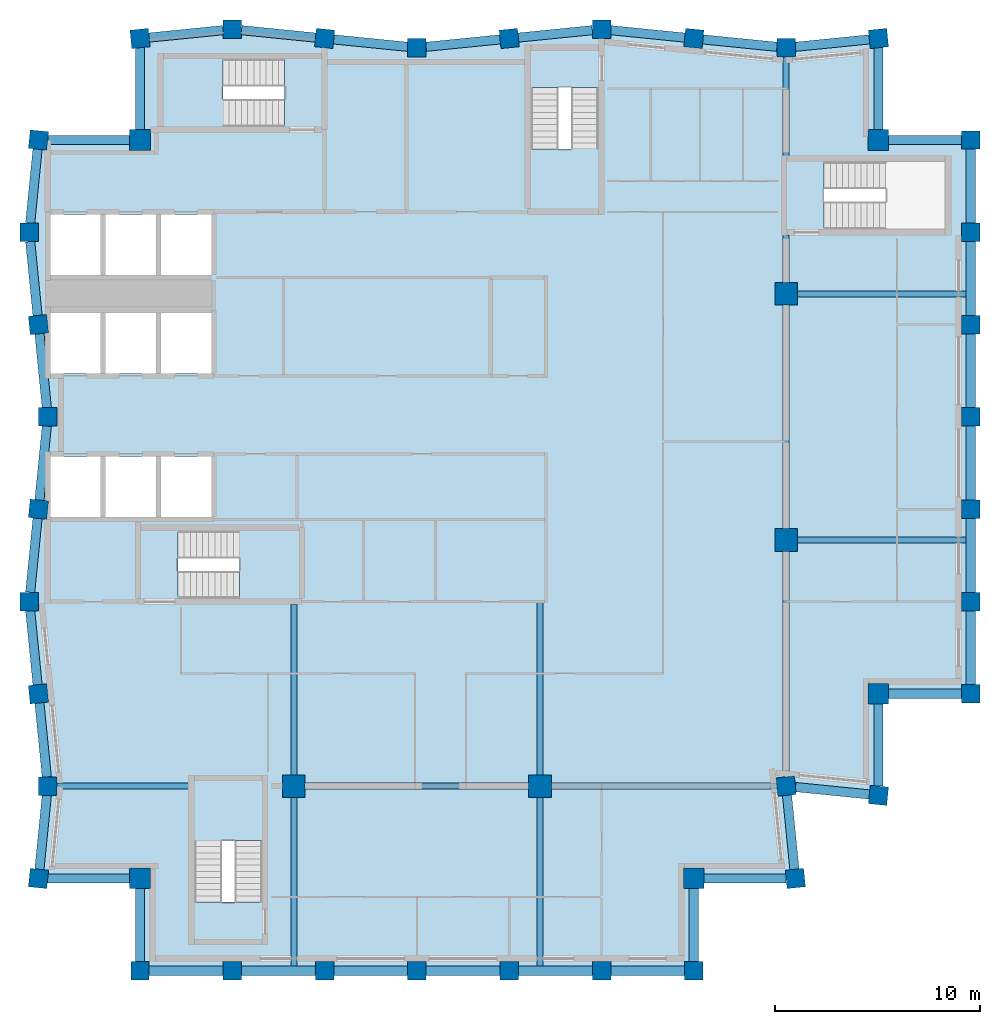
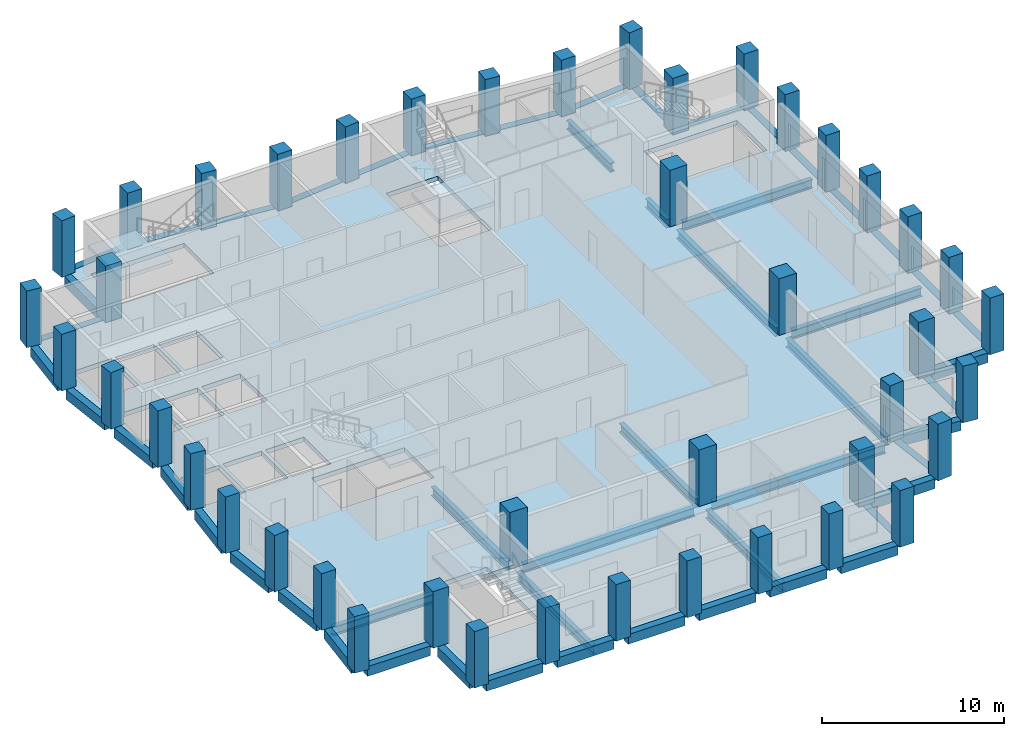
# One storey, part 1 of 7: 53 beams, 44 columns, 5 slabs, 4 elements without a shape of their own.
"""IFC4 building model written with IfcOpenShell, lengths in metres."""

from ifc_helpers import new_model, si_unit, direction, frame, origin, origin_2d, place, context, subcontext, project, spatial, polyline, rectangle, i_section, outline, extrude, material, layer, layer_set, material_profile, profile_set, type_object, element, aggregate, save


model = new_model("IFC4")

# Units and contexts
model_context = context("Model", 3, precision=1e-05, world=origin(), true_north=direction((0.0, 1.0)))
body_context = subcontext(model_context, "Body", "Model", "MODEL_VIEW")
ifc_project = project(units=[si_unit("LENGTHUNIT", "METRE"), si_unit("AREAUNIT", "SQUARE_METRE"), si_unit("VOLUMEUNIT", "CUBIC_METRE"), si_unit("PLANEANGLEUNIT", "RADIAN"), si_unit("MASSUNIT", "GRAM", prefix="KILO")], contexts=[model_context])

# Site, building, storey
site_placement = place(None, origin())
site = spatial("IfcSite", under=ifc_project, at=site_placement, CompositionType="ELEMENT")
building_placement = place(site_placement, origin())
building = spatial("IfcBuilding", under=site, at=building_placement, Name="Brondeck Convention Tower", CompositionType="ELEMENT")
storey_placement = place(building_placement, frame((0.0, 0.0, 267.60009765625)))
storey = spatial("IfcBuildingStorey", under=building, at=storey_placement, Name="L66", CompositionType="ELEMENT", Elevation=267.60009765625)

# Columns
ifc_material_1 = material(Name="Concrete C50/60", Category="concrete")
ifc_material_profile_1 = material_profile(ifc_material_1, rectangle(XDim=1.0, YDim=1.0, at=origin_2d()), Name="Corner column 1000x1000 Concrete C50/60")
ifc_profile_set_1 = profile_set([ifc_material_profile_1], Name="Concrete C50/60")
column_type_1 = type_object("IfcColumnType", Name="Corner column 1000x1000 Concrete C50/60", PredefinedType="COLUMN", material=ifc_profile_set_1)
for number, where, z_axis, x_axis, name in (
    (1, (4.5, 22.5, 0.0), (0.0, 0.0, 1.0), (1.0, 0.0, 0.0), "STR-COL-L66-NC-SWB18"),
    (2, (31.5, 22.5, 0.0), (0.0, 0.0, 1.0), (1.0, 0.0, 0.0), "STR-COL-L66-NC-SEB18"),
    (3, (40.5, 31.5, 0.0), (0.0, 0.0, 1.0), (1.0, 0.0, 0.0), "STR-COL-L66-NC-SEA45"),
    (4, (40.5, 58.5, 0.0), (0.0, 0.0, 1.0), (1.0, 0.0, 0.0), "STR-COL-L66-NC-NEA45"),
    (5, (4.5, 58.5, 0.0), (0.0, 0.0, 1.0), (1.0, 0.0, 0.0), "STR-COL-L66-NC-NW"),
):
    element("IfcColumn", number, at=place(storey_placement, frame(where, z_axis=z_axis, x_axis=x_axis)), inside=storey, type_object=column_type_1, Name=name, PredefinedType="COLUMN", context=body_context, shape_type="SweptSolid", body=[
        extrude(rectangle(XDim=1.0, YDim=1.0, at=origin_2d()), origin(), (0.0, 0.0, 1.0), 3.7998046875),
    ])
ifc_material_profile_2 = material_profile(ifc_material_1, rectangle(XDim=1.10009765625, YDim=1.10009765625, at=origin_2d()), Name="Interior column 1100x1100 Concrete C50/60")
ifc_profile_set_2 = profile_set([ifc_material_profile_2], Name="Concrete C50/60")
column_type_2 = type_object("IfcColumnType", Name="Interior column 1100x1100 Concrete C50/60", PredefinedType="COLUMN", material=ifc_profile_set_2)
for number, where, z_axis, x_axis, name in (
    (6, (12.0, 27.0, 0.0), (0.0, 0.0, 1.0), (1.0, 0.0, 0.0), "STR-COL-L66-IC-03"),
    (7, (24.0, 27.0, 0.0), (0.0, 0.0, 1.0), (1.0, 0.0, 0.0), "STR-COL-L66-IC-06"),
    (8, (36.0, 39.0, 0.0), (0.0, 0.0, 1.0), (1.0, 0.0, 0.0), "STR-COL-L66-IC-07"),
    (9, (36.0, 51.0, 0.0), (0.0, 0.0, 1.0), (1.0, 0.0, 0.0), "STR-COL-L66-IC-08"),
):
    element("IfcColumn", number, at=place(storey_placement, frame(where, z_axis=z_axis, x_axis=x_axis)), inside=storey, type_object=column_type_2, Name=name, PredefinedType="COLUMN", context=body_context, shape_type="SweptSolid", body=[
        extrude(rectangle(XDim=1.10009765625, YDim=1.10009765625, at=origin_2d()), origin(), (0.0, 0.0, 1.0), 3.7998046875),
    ])
ifc_material_profile_3 = material_profile(ifc_material_1, rectangle(XDim=0.89990234375, YDim=0.89990234375, at=origin_2d()), Name="Perimeter pier 900x900 Concrete C50/60")
ifc_profile_set_3 = profile_set([ifc_material_profile_3], Name="Concrete C50/60")
column_type_3 = type_object("IfcColumnType", Name="Perimeter pier 900x900 Concrete C50/60", PredefinedType="COLUMN", material=ifc_profile_set_3)
for number, where, z_axis, x_axis, name in (
    (10, (4.5, 18.0, 0.0), (0.0, 0.0, 1.0), (1.0, 0.0, 0.0), "STR-COL-L66-PC-B-S18-01"),
    (11, (9.0, 18.0, 0.0), (0.0, 0.0, 1.0), (1.0, 0.0, 0.0), "STR-COL-L66-PC-B-S18-02"),
    (12, (13.5, 18.0, 0.0), (0.0, 0.0, 1.0), (1.0, 0.0, 0.0), "STR-COL-L66-PC-B-S18-03"),
    (13, (18.0, 18.0, 0.0), (0.0, 0.0, 1.0), (1.0, 0.0, 0.0), "STR-COL-L66-PC-B-S18-04"),
    (14, (22.5, 18.0, 0.0), (0.0, 0.0, 1.0), (1.0, 0.0, 0.0), "STR-COL-L66-PC-B-S18-05"),
    (15, (27.0, 18.0, 0.0), (0.0, 0.0, 1.0), (1.0, 0.0, 0.0), "STR-COL-L66-PC-B-S18-06"),
    (16, (31.5, 18.0, 0.0), (0.0, 0.0, 1.0), (1.0, 0.0, 0.0), "STR-COL-L66-PC-B-S18-07"),
    (17, (36.449951171875, 22.5, 0.0), (0.0, 0.0, 1.0), (-0.0995038382, 0.995037178292, 0.0), "STR-COL-L66-PC-B-E-01"),
    (18, (36.0, 27.0, 0.0), (0.0, 0.0, 1.0), (-0.0995038382, 0.995037178292, 0.0), "STR-COL-L66-PC-B-E-00"),
    (19, (40.5, 26.550048828125, 0.0), (0.0, 0.0, 1.0), (0.995037178292, -0.0995038382, 0.0), "STR-COL-L66-PC-A-S-01"),
    (20, (45.0, 31.5, 0.0), (0.0, 0.0, 1.0), (0.0, 1.0, 0.0), "STR-COL-L66-PC-A-E45-01"),
    (21, (45.0, 36.0, 0.0), (0.0, 0.0, 1.0), (0.0, 1.0, 0.0), "STR-COL-L66-PC-A-E45-02"),
    (22, (45.0, 40.5, 0.0), (0.0, 0.0, 1.0), (0.0, 1.0, 0.0), "STR-COL-L66-PC-A-E45-03"),
    (23, (45.0, 45.0, 0.0), (0.0, 0.0, 1.0), (0.0, 1.0, 0.0), "STR-COL-L66-PC-A-E45-04"),
    (24, (45.0, 49.5, 0.0), (0.0, 0.0, 1.0), (0.0, 1.0, 0.0), "STR-COL-L66-PC-A-E45-05"),
    (25, (45.0, 54.0, 0.0), (0.0, 0.0, 1.0), (0.0, 1.0, 0.0), "STR-COL-L66-PC-A-E45-06"),
    (26, (45.0, 58.5, 0.0), (0.0, 0.0, 1.0), (0.0, 1.0, 0.0), "STR-COL-L66-PC-A-E45-07"),
    (27, (40.5, 63.449951171875, 0.0), (0.0, 0.0, 1.0), (-0.995037178292, -0.0995038382, 0.0), "STR-COL-L66-PC-A-N-09"),
    (28, (36.0, 63.0, 0.0), (0.0, 0.0, 1.0), (-1.0, 0.0, 0.0), "STR-COL-L66-PC-A-N-08"),
    (29, (31.5, 63.449951171875, 0.0), (0.0, 0.0, 1.0), (-0.995037178292, 0.0995038382, 0.0), "STR-COL-L66-PC-A-N-07"),
    (30, (27.0, 63.89990234375, 0.0), (0.0, 0.0, 1.0), (-1.0, 0.0, 0.0), "STR-COL-L66-PC-A-N-06"),
    (31, (22.5, 63.449951171875, 0.0), (0.0, 0.0, 1.0), (-0.995037178292, -0.0995038382, 0.0), "STR-COL-L66-PC-A-N-05"),
    (32, (18.0, 63.0, 0.0), (0.0, 0.0, 1.0), (-1.0, 0.0, 0.0), "STR-COL-L66-PC-A-N-04"),
    (33, (13.5, 63.449951171875, 0.0), (0.0, 0.0, 1.0), (-0.995037178292, 0.0995038382, 0.0), "STR-COL-L66-PC-A-N-03"),
    (34, (9.0, 63.89990234375, 0.0), (0.0, 0.0, 1.0), (-1.0, 0.0, 0.0), "STR-COL-L66-PC-A-N-02"),
    (35, (4.5, 63.449951171875, 0.0), (0.0, 0.0, 1.0), (-0.995037178292, -0.0995038382, 0.0), "STR-COL-L66-PC-A-N-01"),
    (36, (-0.449951171875, 58.5, 0.0), (0.0, 0.0, 1.0), (-0.0995038382, -0.995037178292, 0.0), "STR-COL-L66-PC-B-W-01"),
    (37, (-0.89990234375, 54.0, 0.0), (0.0, 0.0, 1.0), (0.0, -1.0, 0.0), "STR-COL-L66-PC-B-W-02"),
    (38, (-0.449951171875, 49.5, 0.0), (0.0, 0.0, 1.0), (0.0995038382, -0.995037178292, 0.0), "STR-COL-L66-PC-B-W-03"),
    (39, (0.0, 45.0, 0.0), (0.0, 0.0, 1.0), (0.0, -1.0, 0.0), "STR-COL-L66-PC-B-W-04"),
    (40, (-0.449951171875, 40.5, 0.0), (0.0, 0.0, 1.0), (-0.0995038382, -0.995037178292, 0.0), "STR-COL-L66-PC-B-W-05"),
    (41, (-0.89990234375, 36.0, 0.0), (0.0, 0.0, 1.0), (0.0, -1.0, 0.0), "STR-COL-L66-PC-B-W-06"),
    (42, (-0.449951171875, 31.5, 0.0), (0.0, 0.0, 1.0), (0.0995038382, -0.995037178292, 0.0), "STR-COL-L66-PC-B-W-07"),
    (43, (0.0, 27.0, 0.0), (0.0, 0.0, 1.0), (0.0, -1.0, 0.0), "STR-COL-L66-PC-B-W-08"),
    (44, (-0.449951171875, 22.5, 0.0), (0.0, 0.0, 1.0), (-0.0995038382, -0.995037178292, 0.0), "STR-COL-L66-PC-B-W-09"),
):
    element("IfcColumn", number, at=place(storey_placement, frame(where, z_axis=z_axis, x_axis=x_axis)), inside=storey, type_object=column_type_3, Name=name, PredefinedType="COLUMN", context=body_context, shape_type="SweptSolid", body=[
        extrude(rectangle(XDim=0.89990234375, YDim=0.89990234375, at=origin_2d()), origin(), (0.0, 0.0, 1.0), 3.7998046875),
    ])

# Beams
ifc_material_2 = material(Name="Steel S355", Category="steel")
ifc_material_profile_4 = material_profile(ifc_material_2, i_section(OverallWidth=0.300048828125, OverallDepth=0.60009765625, WebThickness=0.015380859375, FlangeThickness=0.030029296875, FilletRadius=0.027099609375, at=origin_2d()), Name="HEB 600")
ifc_profile_set_4 = profile_set([ifc_material_profile_4], Name="Steel S355")
beam_type_1 = type_object("IfcBeamType", Name="Girder HEB 600", PredefinedType="BEAM", material=ifc_profile_set_4)
for number, where, z_axis, x_axis, name in (
    (45, (36.550048828125, 39.0, -0.60009765625), (1.0, 0.0, 0.0), (0.0, 1.0, 0.0), "STR-GR-L66-001"),
    (46, (36.550048828125, 51.0, -0.60009765625), (1.0, 0.0, 0.0), (0.0, 1.0, 0.0), "STR-GR-L66-002"),
):
    element("IfcBeam", number, at=place(storey_placement, frame(where, z_axis=z_axis, x_axis=x_axis)), inside=storey, type_object=beam_type_1, Name=name, PredefinedType="BEAM", context=body_context, shape_type="SweptSolid", body=[
        extrude(i_section(OverallWidth=0.300048828125, OverallDepth=0.60009765625, WebThickness=0.015380859375, FlangeThickness=0.030029296875, FilletRadius=0.027099609375, at=origin_2d()), origin(), (0.0, 0.0, 1.0), 8.224853515625),
    ])
beam_1_placement = place(storey_placement, frame((36.0, 27.4521484375, -0.60009765625), z_axis=(0.0, 1.0, 0.0), x_axis=(-1.0, 0.0, 0.0)))
element("IfcBeam", 47, at=beam_1_placement, inside=storey, type_object=beam_type_1, Name="STR-GR-L66-003", PredefinedType="BEAM", context=body_context, shape_type="SweptSolid", body=[
    extrude(i_section(OverallWidth=0.300048828125, OverallDepth=0.60009765625, WebThickness=0.015380859375, FlangeThickness=0.030029296875, FilletRadius=0.027099609375, at=origin_2d()), origin(), (0.0, 0.0, 1.0), 10.997802734375),
])
beam_2_placement = place(storey_placement, frame((36.0, 39.550048828125, -0.60009765625), z_axis=(0.0, 1.0, 0.0), x_axis=(-1.0, 0.0, 0.0)))
element("IfcBeam", 48, at=beam_2_placement, inside=storey, type_object=beam_type_1, Name="STR-GR-L66-004", PredefinedType="BEAM", context=body_context, shape_type="SweptSolid", body=[
    extrude(i_section(OverallWidth=0.300048828125, OverallDepth=0.60009765625, WebThickness=0.015380859375, FlangeThickness=0.030029296875, FilletRadius=0.027099609375, at=origin_2d()), origin(), (0.0, 0.0, 1.0), 10.89990234375),
])
beam_3_placement = place(storey_placement, frame((36.0, 51.550048828125, -0.60009765625), z_axis=(0.0, 1.0, 0.0), x_axis=(-1.0, 0.0, 0.0)))
element("IfcBeam", 49, at=beam_3_placement, inside=storey, type_object=beam_type_1, Name="STR-GR-L66-005", PredefinedType="BEAM", context=body_context, shape_type="SweptSolid", body=[
    extrude(i_section(OverallWidth=0.300048828125, OverallDepth=0.60009765625, WebThickness=0.015380859375, FlangeThickness=0.030029296875, FilletRadius=0.027099609375, at=origin_2d()), origin(), (0.0, 0.0, 1.0), 2.329833984375),
])
beam_4_placement = place(storey_placement, frame((36.0, 57.719970703125, -0.60009765625), z_axis=(0.0, 1.0, 0.0), x_axis=(-1.0, 0.0, 0.0)))
element("IfcBeam", 50, at=beam_4_placement, inside=storey, type_object=beam_type_1, Name="STR-GR-L66-006", PredefinedType="BEAM", context=body_context, shape_type="SweptSolid", body=[
    extrude(i_section(OverallWidth=0.300048828125, OverallDepth=0.60009765625, WebThickness=0.015380859375, FlangeThickness=0.030029296875, FilletRadius=0.027099609375, at=origin_2d()), origin(), (0.0, 0.0, 1.0), 4.830078125),
])
beam_5_placement = place(storey_placement, frame((12.0, 35.85009765625, -0.60009765625), z_axis=(0.0, -1.0, 0.0), x_axis=(1.0, 0.0, 0.0)))
element("IfcBeam", 51, at=beam_5_placement, inside=storey, type_object=beam_type_1, Name="STR-GR-L66-007", PredefinedType="BEAM", context=body_context, shape_type="SweptSolid", body=[
    extrude(i_section(OverallWidth=0.300048828125, OverallDepth=0.60009765625, WebThickness=0.015380859375, FlangeThickness=0.030029296875, FilletRadius=0.027099609375, at=origin_2d()), origin(), (0.0, 0.0, 1.0), 8.300048828125),
])
beam_6_placement = place(storey_placement, frame((12.0, 26.449951171875, -0.60009765625), z_axis=(0.0, -1.0, 0.0), x_axis=(1.0, 0.0, 0.0)))
element("IfcBeam", 52, at=beam_6_placement, inside=storey, type_object=beam_type_1, Name="STR-GR-L66-008", PredefinedType="BEAM", context=body_context, shape_type="SweptSolid", body=[
    extrude(i_section(OverallWidth=0.300048828125, OverallDepth=0.60009765625, WebThickness=0.015380859375, FlangeThickness=0.030029296875, FilletRadius=0.027099609375, at=origin_2d()), origin(), (0.0, 0.0, 1.0), 8.224853515625),
])
beam_7_placement = place(storey_placement, frame((24.0, 35.955078125, -0.60009765625), z_axis=(0.0, -1.0, 0.0), x_axis=(1.0, 0.0, 0.0)))
element("IfcBeam", 53, at=beam_7_placement, inside=storey, type_object=beam_type_1, Name="STR-GR-L66-009", PredefinedType="BEAM", context=body_context, shape_type="SweptSolid", body=[
    extrude(i_section(OverallWidth=0.300048828125, OverallDepth=0.60009765625, WebThickness=0.015380859375, FlangeThickness=0.030029296875, FilletRadius=0.027099609375, at=origin_2d()), origin(), (0.0, 0.0, 1.0), 8.405029296875),
])
beam_8_placement = place(storey_placement, frame((24.0, 26.449951171875, -0.60009765625), z_axis=(0.0, -1.0, 0.0), x_axis=(1.0, 0.0, 0.0)))
element("IfcBeam", 54, at=beam_8_placement, inside=storey, type_object=beam_type_1, Name="STR-GR-L66-010", PredefinedType="BEAM", context=body_context, shape_type="SweptSolid", body=[
    extrude(i_section(OverallWidth=0.300048828125, OverallDepth=0.60009765625, WebThickness=0.015380859375, FlangeThickness=0.030029296875, FilletRadius=0.027099609375, at=origin_2d()), origin(), (0.0, 0.0, 1.0), 8.224853515625),
])
beam_9_placement = place(storey_placement, frame((0.449951171875, 27.0, -0.60009765625), z_axis=(1.0, 0.0, 0.0), x_axis=(0.0, 1.0, 0.0)))
element("IfcBeam", 55, at=beam_9_placement, inside=storey, type_object=beam_type_1, Name="STR-GR-L66-011", PredefinedType="BEAM", context=body_context, shape_type="SweptSolid", body=[
    extrude(i_section(OverallWidth=0.300048828125, OverallDepth=0.60009765625, WebThickness=0.015380859375, FlangeThickness=0.030029296875, FilletRadius=0.027099609375, at=origin_2d()), origin(), (0.0, 0.0, 1.0), 6.429931640625),
])
beam_10_placement = place(storey_placement, frame((12.550048828125, 27.0, -0.60009765625), z_axis=(1.0, 0.0, 0.0), x_axis=(0.0, 1.0, 0.0)))
element("IfcBeam", 56, at=beam_10_placement, inside=storey, type_object=beam_type_1, Name="STR-GR-L66-012", PredefinedType="BEAM", context=body_context, shape_type="SweptSolid", body=[
    extrude(i_section(OverallWidth=0.300048828125, OverallDepth=0.60009765625, WebThickness=0.015380859375, FlangeThickness=0.030029296875, FilletRadius=0.027099609375, at=origin_2d()), origin(), (0.0, 0.0, 1.0), 10.89990234375),
])
beam_11_placement = place(storey_placement, frame((24.550048828125, 27.0, -0.60009765625), z_axis=(1.0, 0.0, 0.0), x_axis=(0.0, 1.0, 0.0)))
element("IfcBeam", 57, at=beam_11_placement, inside=storey, type_object=beam_type_1, Name="STR-GR-L66-013", PredefinedType="BEAM", context=body_context, shape_type="SweptSolid", body=[
    extrude(i_section(OverallWidth=0.300048828125, OverallDepth=0.60009765625, WebThickness=0.015380859375, FlangeThickness=0.030029296875, FilletRadius=0.027099609375, at=origin_2d()), origin(), (0.0, 0.0, 1.0), 10.997802734375),
])
ifc_material_profile_5 = material_profile(ifc_material_1, rectangle(XDim=0.449951171875, YDim=0.64990234375, at=origin_2d()), Name="Precast spandrel 450x650 Concrete C50/60")
ifc_profile_set_5 = profile_set([ifc_material_profile_5], Name="Concrete C50/60")
beam_type_2 = type_object("IfcBeamType", Name="Precast spandrel 450x650 Concrete C50/60", PredefinedType="SPANDREL", material=ifc_profile_set_5)
for number, where, z_axis, x_axis, name in (
    (58, (4.949951171875, 18.0, -0.3251953125), (1.0, 0.0, 0.0), (0.0, 1.0, 0.0), "STR-SP-L66-001"),
    (59, (9.449951171875, 18.0, -0.3251953125), (1.0, 0.0, 0.0), (0.0, 1.0, 0.0), "STR-SP-L66-002"),
    (60, (13.949951171875, 18.0, -0.3251953125), (1.0, 0.0, 0.0), (0.0, 1.0, 0.0), "STR-SP-L66-003"),
    (61, (18.449951171875, 18.0, -0.3251953125), (1.0, 0.0, 0.0), (0.0, 1.0, 0.0), "STR-SP-L66-004"),
    (62, (22.949951171875, 18.0, -0.3251953125), (1.0, 0.0, 0.0), (0.0, 1.0, 0.0), "STR-SP-L66-005"),
    (63, (27.449951171875, 18.0, -0.3251953125), (1.0, 0.0, 0.0), (0.0, 1.0, 0.0), "STR-SP-L66-006"),
):
    element("IfcBeam", number, at=place(storey_placement, frame(where, z_axis=z_axis, x_axis=x_axis)), inside=storey, type_object=beam_type_2, Name=name, PredefinedType="SPANDREL", context=body_context, shape_type="SweptSolid", body=[
        extrude(rectangle(XDim=0.449951171875, YDim=0.64990234375, at=origin_2d()), origin(), (0.0, 0.0, 1.0), 3.60009765625),
    ])
beam_12_placement = place(storey_placement, frame((31.5, 18.449951171875, -0.3251953125), z_axis=(0.0, 1.0, 0.0), x_axis=(-1.0, 0.0, 0.0)))
element("IfcBeam", 64, at=beam_12_placement, inside=storey, type_object=beam_type_2, Name="STR-SP-L66-007", PredefinedType="SPANDREL", context=body_context, shape_type="SweptSolid", body=[
    extrude(rectangle(XDim=0.449951171875, YDim=0.64990234375, at=origin_2d()), origin(), (0.0, 0.0, 1.0), 3.550048828125),
])
beam_13_placement = place(storey_placement, frame((32.0, 22.5, -0.3251953125), z_axis=(1.0, 0.0, 0.0), x_axis=(0.0, 1.0, 0.0)))
element("IfcBeam", 65, at=beam_13_placement, inside=storey, type_object=beam_type_2, Name="STR-SP-L66-008", PredefinedType="SPANDREL", context=body_context, shape_type="SweptSolid", body=[
    extrude(rectangle(XDim=0.449951171875, YDim=0.64990234375, at=origin_2d()), origin(), (0.0, 0.0, 1.0), 3.997802734375),
])
beam_14_placement = place(storey_placement, frame((36.4052734375, 22.94775390625, -0.3251953125), z_axis=(-0.099543756114, 0.995033185687, 0.0), x_axis=(-0.995033185687, -0.099543756114, 0.0)))
element("IfcBeam", 66, at=beam_14_placement, inside=storey, type_object=beam_type_2, Name="STR-SP-L66-009", PredefinedType="SPANDREL", context=body_context, shape_type="SweptSolid", body=[
    extrude(rectangle(XDim=0.449951171875, YDim=0.64990234375, at=origin_2d()), origin(), (0.0, 0.0, 1.0), 3.62255859375),
])
beam_15_placement = place(storey_placement, frame((36.456787109375, 26.954345703125, -0.3251953125), z_axis=(0.995035183115, -0.099523787922, 0.0), x_axis=(0.099523787922, 0.995035183115, 0.0)))
element("IfcBeam", 67, at=beam_15_placement, inside=storey, type_object=beam_type_2, Name="STR-SP-L66-010", PredefinedType="SPANDREL", context=body_context, shape_type="SweptSolid", body=[
    extrude(rectangle(XDim=0.449951171875, YDim=0.64990234375, at=origin_2d()), origin(), (0.0, 0.0, 1.0), 3.61328125),
])
beam_16_placement = place(storey_placement, frame((40.5, 27.002197265625, -0.3251953125), z_axis=(0.0, 1.0, 0.0), x_axis=(-1.0, 0.0, 0.0)))
element("IfcBeam", 68, at=beam_16_placement, inside=storey, type_object=beam_type_2, Name="STR-SP-L66-011", PredefinedType="SPANDREL", context=body_context, shape_type="SweptSolid", body=[
    extrude(rectangle(XDim=0.449951171875, YDim=0.64990234375, at=origin_2d()), origin(), (0.0, 0.0, 1.0), 3.997802734375),
])
beam_17_placement = place(storey_placement, frame((41.0, 31.5, -0.3251953125), z_axis=(1.0, 0.0, 0.0), x_axis=(0.0, 1.0, 0.0)))
element("IfcBeam", 69, at=beam_17_placement, inside=storey, type_object=beam_type_2, Name="STR-SP-L66-012", PredefinedType="SPANDREL", context=body_context, shape_type="SweptSolid", body=[
    extrude(rectangle(XDim=0.449951171875, YDim=0.64990234375, at=origin_2d()), origin(), (0.0, 0.0, 1.0), 3.550048828125),
])
for number, where, z_axis, x_axis, name in (
    (70, (45.0, 31.949951171875, -0.3251953125), (0.0, 1.0, 0.0), (-1.0, 0.0, 0.0), "STR-SP-L66-013"),
    (71, (45.0, 36.449951171875, -0.3251953125), (0.0, 1.0, 0.0), (-1.0, 0.0, 0.0), "STR-SP-L66-014"),
    (72, (45.0, 40.949951171875, -0.3251953125), (0.0, 1.0, 0.0), (-1.0, 0.0, 0.0), "STR-SP-L66-015"),
    (73, (45.0, 45.449951171875, -0.3251953125), (0.0, 1.0, 0.0), (-1.0, 0.0, 0.0), "STR-SP-L66-016"),
    (74, (45.0, 49.949951171875, -0.3251953125), (0.0, 1.0, 0.0), (-1.0, 0.0, 0.0), "STR-SP-L66-017"),
    (75, (45.0, 54.449951171875, -0.3251953125), (0.0, 1.0, 0.0), (-1.0, 0.0, 0.0), "STR-SP-L66-018"),
):
    element("IfcBeam", number, at=place(storey_placement, frame(where, z_axis=z_axis, x_axis=x_axis)), inside=storey, type_object=beam_type_2, Name=name, PredefinedType="SPANDREL", context=body_context, shape_type="SweptSolid", body=[
        extrude(rectangle(XDim=0.449951171875, YDim=0.64990234375, at=origin_2d()), origin(), (0.0, 0.0, 1.0), 3.60009765625),
    ])
beam_18_placement = place(storey_placement, frame((44.550048828125, 58.5, -0.3251953125), z_axis=(-1.0, 0.0, 0.0), x_axis=(0.0, -1.0, 0.0)))
element("IfcBeam", 76, at=beam_18_placement, inside=storey, type_object=beam_type_2, Name="STR-SP-L66-019", PredefinedType="SPANDREL", context=body_context, shape_type="SweptSolid", body=[
    extrude(rectangle(XDim=0.449951171875, YDim=0.64990234375, at=origin_2d()), origin(), (0.0, 0.0, 1.0), 3.550048828125),
])
beam_19_placement = place(storey_placement, frame((40.5, 59.0, -0.3251953125), z_axis=(0.0, 1.0, 0.0), x_axis=(-1.0, 0.0, 0.0)))
element("IfcBeam", 77, at=beam_19_placement, inside=storey, type_object=beam_type_2, Name="STR-SP-L66-020", PredefinedType="SPANDREL", context=body_context, shape_type="SweptSolid", body=[
    extrude(rectangle(XDim=0.449951171875, YDim=0.64990234375, at=origin_2d()), origin(), (0.0, 0.0, 1.0), 3.997802734375),
])
for number, where, z_axis, x_axis, name in (
    (78, (40.05224609375, 63.4052734375, -0.3251953125), (-0.995033851182, -0.099537103649, 0.0), (0.099537103649, -0.995033851182, 0.0), "STR-SP-L66-021"),
    (79, (35.550048828125, 63.044921875, -0.3251953125), (-0.995033851182, 0.099537103649, 0.0), (-0.099537103649, -0.995033851182, 0.0), "STR-SP-L66-022"),
    (80, (31.05224609375, 63.494873046875, -0.3251953125), (-0.995040528141, 0.099470334057, 0.0), (-0.099470334057, -0.995040528141, 0.0), "STR-SP-L66-023"),
    (81, (26.550048828125, 63.85498046875, -0.3251953125), (-0.995040528141, -0.099470334057, 0.0), (0.099470334057, -0.995040528141, 0.0), "STR-SP-L66-024"),
    (82, (22.05224609375, 63.4052734375, -0.3251953125), (-0.995033851182, -0.099537103649, 0.0), (0.099537103649, -0.995033851182, 0.0), "STR-SP-L66-025"),
    (83, (17.550048828125, 63.044921875, -0.3251953125), (-0.995033851182, 0.099537103649, 0.0), (-0.099537103649, -0.995033851182, 0.0), "STR-SP-L66-026"),
    (84, (13.05224609375, 63.494873046875, -0.3251953125), (-0.995040528141, 0.099470334057, 0.0), (-0.099470334057, -0.995040528141, 0.0), "STR-SP-L66-027"),
    (85, (8.550048828125, 63.85498046875, -0.3251953125), (-0.995040528141, -0.099470334057, 0.0), (0.099470334057, -0.995040528141, 0.0), "STR-SP-L66-028"),
):
    element("IfcBeam", number, at=place(storey_placement, frame(where, z_axis=z_axis, x_axis=x_axis)), inside=storey, type_object=beam_type_2, Name=name, PredefinedType="SPANDREL", context=body_context, shape_type="SweptSolid", body=[
        extrude(rectangle(XDim=0.449951171875, YDim=0.64990234375, at=origin_2d()), origin(), (0.0, 0.0, 1.0), 3.620361328125),
    ])
for number, where, z_axis, x_axis, name in (
    (86, (4.5, 62.997802734375, -0.3251953125), (0.0, -1.0, 0.0), (1.0, 0.0, 0.0), "STR-SP-L66-029"),
    (87, (4.0, 58.5, -0.3251953125), (-1.0, 0.0, 0.0), (0.0, -1.0, 0.0), "STR-SP-L66-030"),
):
    element("IfcBeam", number, at=place(storey_placement, frame(where, z_axis=z_axis, x_axis=x_axis)), inside=storey, type_object=beam_type_2, Name=name, PredefinedType="SPANDREL", context=body_context, shape_type="SweptSolid", body=[
        extrude(rectangle(XDim=0.449951171875, YDim=0.64990234375, at=origin_2d()), origin(), (0.0, 0.0, 1.0), 3.997802734375),
    ])
for number, where, z_axis, x_axis, name in (
    (88, (-0.494873046875, 58.05224609375, -0.3251953125), (-0.099470334057, -0.995040528141, 0.0), (0.995040528141, -0.099470334057, 0.0), "STR-SP-L66-031"),
    (89, (-0.85498046875, 53.550048828125, -0.3251953125), (0.099470334057, -0.995040528141, 0.0), (0.995040528141, 0.099470334057, 0.0), "STR-SP-L66-032"),
    (90, (-0.4052734375, 49.05224609375, -0.3251953125), (0.099537103649, -0.995033851182, 0.0), (0.995033851182, 0.099537103649, 0.0), "STR-SP-L66-033"),
    (91, (-0.044921875, 44.550048828125, -0.3251953125), (-0.099537103649, -0.995033851182, 0.0), (0.995033851182, -0.099537103649, 0.0), "STR-SP-L66-034"),
    (92, (-0.494873046875, 40.05224609375, -0.3251953125), (-0.099470334057, -0.995040528141, 0.0), (0.995040528141, -0.099470334057, 0.0), "STR-SP-L66-035"),
    (93, (-0.85498046875, 35.550048828125, -0.3251953125), (0.099470334057, -0.995040528141, 0.0), (0.995040528141, 0.099470334057, 0.0), "STR-SP-L66-036"),
    (94, (-0.4052734375, 31.05224609375, -0.3251953125), (0.099537103649, -0.995033851182, 0.0), (0.995033851182, 0.099537103649, 0.0), "STR-SP-L66-037"),
    (95, (-0.044921875, 26.550048828125, -0.3251953125), (-0.099537103649, -0.995033851182, 0.0), (0.995033851182, -0.099537103649, 0.0), "STR-SP-L66-038"),
):
    element("IfcBeam", number, at=place(storey_placement, frame(where, z_axis=z_axis, x_axis=x_axis)), inside=storey, type_object=beam_type_2, Name=name, PredefinedType="SPANDREL", context=body_context, shape_type="SweptSolid", body=[
        extrude(rectangle(XDim=0.449951171875, YDim=0.64990234375, at=origin_2d()), origin(), (0.0, 0.0, 1.0), 3.620361328125),
    ])
beam_20_placement = place(storey_placement, frame((0.002197265625, 22.5, -0.3251953125), z_axis=(1.0, 0.0, 0.0), x_axis=(0.0, 1.0, 0.0)))
element("IfcBeam", 96, at=beam_20_placement, inside=storey, type_object=beam_type_2, Name="STR-SP-L66-039", PredefinedType="SPANDREL", context=body_context, shape_type="SweptSolid", body=[
    extrude(rectangle(XDim=0.449951171875, YDim=0.64990234375, at=origin_2d()), origin(), (0.0, 0.0, 1.0), 3.997802734375),
])
beam_21_placement = place(storey_placement, frame((4.5, 22.0, -0.3251953125), z_axis=(0.0, -1.0, 0.0), x_axis=(1.0, 0.0, 0.0)))
element("IfcBeam", 97, at=beam_21_placement, inside=storey, type_object=beam_type_2, Name="STR-SP-L66-040", PredefinedType="SPANDREL", context=body_context, shape_type="SweptSolid", body=[
    extrude(rectangle(XDim=0.449951171875, YDim=0.64990234375, at=origin_2d()), origin(), (0.0, 0.0, 1.0), 3.550048828125),
])

# Slab
ifc_material_3 = material(Name="Concrete C35/45", Category="concrete")
ifc_layer_1 = layer(ifc_material_3, 0.300048828125)
ifc_layer_set_1 = layer_set([ifc_layer_1], Name="Composite floor slab 300")
slab_type_1 = type_object("IfcSlabType", Name="Composite floor slab 300", PredefinedType="FLOOR", material=ifc_layer_set_1)
slab_1_placement = place(storey_placement, frame((0.0, 0.0, -0.300048828125)))
element("IfcSlab", 98, at=slab_1_placement, inside=storey, type_object=slab_type_1, Name="STR-SL-L66", PredefinedType="FLOOR", context=body_context, shape_type="SweptSolid", body=[
    extrude(outline(polyline([(4.5, 22.5), (-0.449951171875, 22.5), (0.0, 27.0), (-0.89990234375, 36.0), (0.0, 45.0), (-0.89990234375, 54.0), (-0.449951171875, 58.5), (4.5, 58.5), (4.5, 63.449951171875), (9.0, 63.89990234375), (18.0, 63.0), (27.0, 63.89990234375), (36.0, 63.0), (40.5, 63.449951171875), (40.5, 58.5), (45.0, 58.5), (45.0, 31.5), (40.5, 31.5), (40.5, 26.550048828125), (36.0, 27.0), (36.449951171875, 22.5), (31.5, 22.5), (31.5, 18.0), (4.5, 18.0), (4.5, 22.5)]), holes=[polyline([(2.574951171875, 43.074951171875), (0.125, 43.074951171875), (0.125, 40.125), (2.574951171875, 40.125), (2.574951171875, 43.074951171875)]), polyline([(5.27490234375, 40.125), (5.27490234375, 43.074951171875), (2.824951171875, 43.074951171875), (2.824951171875, 40.125), (5.27490234375, 40.125)]), polyline([(7.97509765625, 40.125), (7.97509765625, 43.074951171875), (5.52490234375, 43.074951171875), (5.52490234375, 40.125), (7.97509765625, 40.125)]), polyline([(2.574951171875, 47.125), (2.574951171875, 50.074951171875), (0.125, 50.074951171875), (0.125, 47.125), (2.574951171875, 47.125)]), polyline([(5.27490234375, 47.125), (5.27490234375, 50.074951171875), (2.824951171875, 50.074951171875), (2.824951171875, 47.125), (5.27490234375, 47.125)]), polyline([(2.574951171875, 51.925048828125), (2.574951171875, 54.875), (0.125, 54.875), (0.125, 51.925048828125), (2.574951171875, 51.925048828125)]), polyline([(5.27490234375, 51.925048828125), (5.27490234375, 54.875), (2.824951171875, 54.875), (2.824951171875, 51.925048828125), (5.27490234375, 51.925048828125)]), polyline([(7.152099609375, 27.248046875), (7.152099609375, 21.35205078125), (10.447998046875, 21.35205078125), (10.447998046875, 27.248046875), (7.152099609375, 27.248046875)]), polyline([(12.248046875, 36.152099609375), (12.248046875, 39.447998046875), (6.35205078125, 39.447998046875), (6.35205078125, 36.152099609375), (12.248046875, 36.152099609375)]), polyline([(7.97509765625, 47.125), (7.97509765625, 50.074951171875), (5.52490234375, 50.074951171875), (5.52490234375, 47.125), (7.97509765625, 47.125)]), polyline([(7.97509765625, 51.925048828125), (7.97509765625, 54.875), (5.52490234375, 54.875), (5.52490234375, 51.925048828125), (7.97509765625, 51.925048828125)]), polyline([(43.748046875, 54.152099609375), (43.748046875, 57.447998046875), (37.85205078125, 57.447998046875), (37.85205078125, 54.152099609375), (43.748046875, 54.152099609375)]), polyline([(23.552001953125, 55.152099609375), (26.847900390625, 55.152099609375), (26.847900390625, 61.048095703125), (23.552001953125, 61.048095703125), (23.552001953125, 55.152099609375)]), polyline([(5.652099609375, 62.447998046875), (5.652099609375, 59.152099609375), (11.548095703125, 59.152099609375), (11.548095703125, 62.447998046875), (5.652099609375, 62.447998046875)])]), origin(), (0.0, 0.0, 1.0), 0.300048828125),
])

# Stair, slab
ifc_material_4 = material(Name="Precast concrete C50/60", Category="concrete")
stair_type = type_object("IfcStairType", Name="Core stair 22 risers 172.73 mm riser 300 mm going 1350 wide", PredefinedType="HALF_TURN_STAIR", material=ifc_material_4)
stair_1_placement = place(storey_placement, origin())
stair_1 = element("IfcStair", 99, at=stair_1_placement, inside=storey, type_object=stair_type, Name="ST-1 L66 stair", PredefinedType="HALF_TURN_STAIR")
ifc_layer_2 = layer(ifc_material_4, 0.25)
ifc_layer_set_2 = layer_set([ifc_layer_2], Name="Core stair landing 250 Precast concrete C50/60")
slab_type_2 = type_object("IfcSlabType", Name="Core stair landing 250 Precast concrete C50/60", PredefinedType="LANDING", material=ifc_layer_set_2)
slab_2_placement = place(storey_placement, frame((0.0, 0.0, 1.64990234375)))
slab_2 = element("IfcSlab", 100, at=slab_2_placement, type_object=slab_type_2, Name="ST-1 landing 1", PredefinedType="LANDING", context=body_context, shape_type="SweptSolid", body=[
    extrude(outline(polyline([(9.347900390625, 37.5), (9.35009765625, 37.5), (9.35009765625, 38.10009765625), (9.050048828125, 38.10009765625), (9.050048828125, 39.570068359375), (12.3701171875, 39.570068359375), (12.3701171875, 36.030029296875), (9.347900390625, 36.030029296875), (9.347900390625, 37.5)])), origin(), (0.0, 0.0, 1.0), 0.25),
])
aggregate(stair_1, [slab_2])

stair_2_placement = place(storey_placement, origin())
stair_2 = element("IfcStair", 101, at=stair_2_placement, inside=storey, type_object=stair_type, Name="ST-2 L66 stair", PredefinedType="HALF_TURN_STAIR")
slab_3_placement = place(storey_placement, frame((0.0, 0.0, 1.64990234375)))
slab_3 = element("IfcSlab", 102, at=slab_3_placement, type_object=slab_type_2, Name="ST-2 landing 1", PredefinedType="LANDING", context=body_context, shape_type="SweptSolid", body=[
    extrude(outline(polyline([(23.429931640625, 58.052001953125), (24.89990234375, 58.052001953125), (24.89990234375, 58.050048828125), (25.5, 58.050048828125), (25.5, 58.35009765625), (26.969970703125, 58.35009765625), (26.969970703125, 55.030029296875), (23.429931640625, 55.030029296875), (23.429931640625, 58.052001953125)])), origin(), (0.0, 0.0, 1.0), 0.25),
])
aggregate(stair_2, [slab_3])

stair_3_placement = place(storey_placement, origin())
stair_3 = element("IfcStair", 103, at=stair_3_placement, inside=storey, type_object=stair_type, Name="ST-3 L66 stair", PredefinedType="HALF_TURN_STAIR")
slab_4_placement = place(storey_placement, frame((0.0, 0.0, 1.64990234375)))
slab_4 = element("IfcSlab", 104, at=slab_4_placement, type_object=slab_type_2, Name="ST-3 landing 1", PredefinedType="LANDING", context=body_context, shape_type="SweptSolid", body=[
    extrude(outline(polyline([(8.85009765625, 60.5), (8.85009765625, 59.030029296875), (5.530029296875, 59.030029296875), (5.530029296875, 62.570068359375), (8.552001953125, 62.570068359375), (8.552001953125, 61.10009765625), (8.550048828125, 61.10009765625), (8.550048828125, 60.5), (8.85009765625, 60.5)])), origin(), (0.0, 0.0, 1.0), 0.25),
])
aggregate(stair_3, [slab_4])

stair_4_placement = place(storey_placement, origin())
stair_4 = element("IfcStair", 105, at=stair_4_placement, inside=storey, type_object=stair_type, Name="ST-BE L66 stair", PredefinedType="HALF_TURN_STAIR")
slab_5_placement = place(storey_placement, frame((0.0, 0.0, 1.64990234375)))
slab_5 = element("IfcSlab", 106, at=slab_5_placement, type_object=slab_type_2, Name="ST-BE landing 1", PredefinedType="LANDING", context=body_context, shape_type="SweptSolid", body=[
    extrude(outline(polyline([(7.030029296875, 24.050048828125), (7.030029296875, 27.3701171875), (10.570068359375, 27.3701171875), (10.570068359375, 24.347900390625), (9.10009765625, 24.347900390625), (9.10009765625, 24.35009765625), (8.5, 24.35009765625), (8.5, 24.050048828125), (7.030029296875, 24.050048828125)])), origin(), (0.0, 0.0, 1.0), 0.25),
])
aggregate(stair_4, [slab_5])

save(model, "model.ifc")
